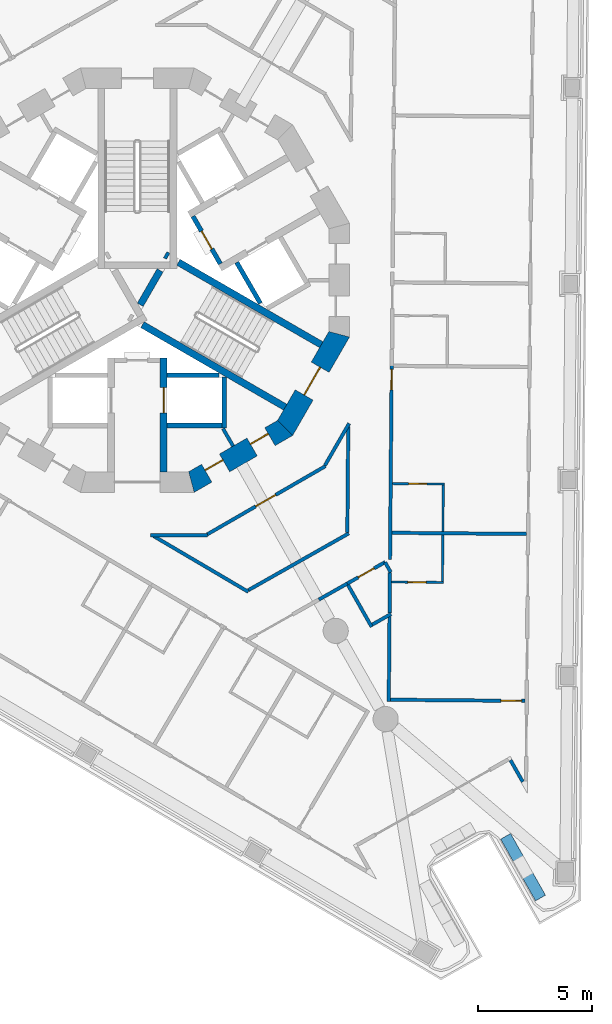
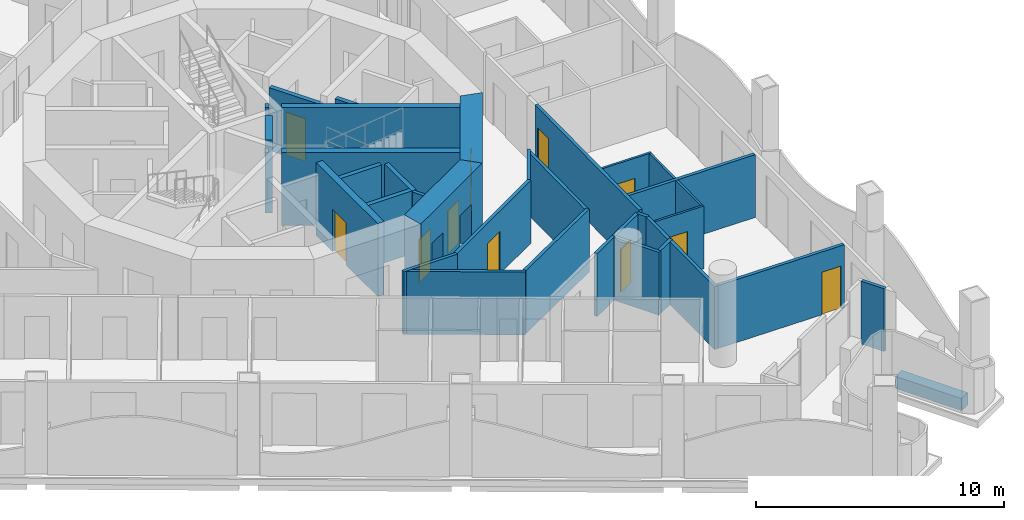
# One storey, part 5 of 17: 35 walls, 11 doors, 11 openings.
"""IFC4 building model written with IfcOpenShell, lengths in metres."""

from ifc_helpers import new_model, si_unit, direction, frame, frame_2d, origin, place, context, subcontext, project, spatial, polyline, rectangle, outline, extrude, material, layer, layer_set, type_object, element, fill, save


model = new_model("IFC4")

# Units and contexts
model_context = context("Model", 3, precision=1e-05, world=origin(), true_north=direction((0.0, 1.0)))
body_context = subcontext(model_context, "Body", "Model", "MODEL_VIEW")
ifc_project = project(units=[si_unit("LENGTHUNIT", "METRE"), si_unit("AREAUNIT", "SQUARE_METRE"), si_unit("VOLUMEUNIT", "CUBIC_METRE"), si_unit("PLANEANGLEUNIT", "RADIAN"), si_unit("MASSUNIT", "GRAM", prefix="KILO")], contexts=[model_context])

# Site, building, storey
site_placement = place(None, origin())
site = spatial("IfcSite", under=ifc_project, at=site_placement, CompositionType="ELEMENT")
building_placement = place(site_placement, origin())
building = spatial("IfcBuilding", under=site, at=building_placement, Name="Trine Commons Tower", CompositionType="ELEMENT")
storey_placement = place(building_placement, frame((0.0, 0.0, 189.89990234375)))
storey = spatial("IfcBuildingStorey", under=building, at=storey_placement, Name="L49", CompositionType="ELEMENT", Elevation=189.89990234375)

# Walls
ifc_material_1 = material(Name="Plasterboard partition on steel studs", Category="steel")
ifc_layer_1 = layer(ifc_material_1, 0.14990234375)
ifc_layer_set_1 = layer_set([ifc_layer_1], Name="Plasterboard partition on steel studs")
wall_type_1 = type_object("IfcWallType", Name="Core room partition 150 mm, EI 60", PredefinedType="PARTITIONING", material=ifc_layer_set_1)
wall_1_placement = place(storey_placement, frame((84.18603515625, 55.2490234375, 0.0), z_axis=(0.0, 0.0, 1.0), x_axis=(-0.499890179513, 0.866088799389, 0.0)))
element("IfcWall", 1, at=wall_1_placement, inside=storey, type_object=wall_type_1, Name="Core room partition L49", PredefinedType="PARTITIONING", context=body_context, shape_type="SweptSolid", body=[
    extrude(rectangle(XDim=0.882080078125, YDim=0.14990234375, at=frame_2d((0.44091796875, 0.0))), origin(), (0.0, 0.0, 1.0), 3.10009765625),
])
ifc_material_2 = material(Name="Aluminium-framed insulated wall panel", Category="aluminium")
ifc_layer_2 = layer(ifc_material_2, 0.14990234375)
ifc_layer_set_2 = layer_set([ifc_layer_2], Name="Aluminium-framed insulated wall panel")
wall_type_2 = type_object("IfcWallType", Name="Glazed frame wall 150, EI 60", PredefinedType="SOLIDWALL", material=ifc_layer_set_2)
wall_2_placement = place(storey_placement, frame((96.91552734375, 40.450927734375, 0.0), z_axis=(0.0, 0.0, 1.0), x_axis=(-0.492439994984, 0.870346397327, 0.0)))
element("IfcWall", 2, at=wall_2_placement, inside=storey, type_object=wall_type_2, Name="Glazed frame wall R9", PredefinedType="SOLIDWALL", context=body_context, shape_type="SweptSolid", body=[
    extrude(outline(polyline([(0.1494140625, 0.074951171875), (0.1494140625, -0.074951171875), (1.235107421875, -0.074951171875), (1.235107421875, 0.074951171875), (0.1494140625, 0.074951171875)])), origin(), (0.0, 0.0, 1.0), 3.10009765625),
])

# Wall, opening, door
ifc_material_3 = material(Name="Fire-rated gypsum shaft wall system")
ifc_layer_3 = layer(ifc_material_3, 0.199951171875)
ifc_layer_set_3 = layer_set([ifc_layer_3], Name="Fire-rated gypsum shaft wall system")
wall_type_3 = type_object("IfcWallType", Name="Lobby end wall 200 mm, EI 120", PredefinedType="PARTITIONING", material=ifc_layer_set_3)
wall_3_placement = place(storey_placement, frame((83.631103515625, 63.2109375, 0.0), z_axis=(0.0, 0.0, 1.0), x_axis=(-0.50012165622, 0.865955154139, 0.0)))
wall_3 = element("IfcWall", 3, at=wall_3_placement, inside=storey, type_object=wall_type_3, Name="Lobby end wall L49", PredefinedType="PARTITIONING", context=body_context, shape_type="SweptSolid", body=[
    extrude(rectangle(XDim=2.39990234375, YDim=0.199951171875, at=frame_2d((1.199951171875, 0.0))), origin(), (0.0, 0.0, 1.0), 3.10009765625),
])
opening_1_placement = place(wall_3_placement, frame((0.749755859375, 0.0, 0.0)))
opening_1 = element("IfcOpeningElement", 4, at=opening_1_placement, cuts=wall_3, Name="Opening K12.05", PredefinedType="OPENING", context=body_context, shape_type="SweptSolid", body=[
    extrude(rectangle(XDim=0.89990234375, YDim=2.10009765625, at=frame_2d((0.449951171875, 1.050048828125))), frame((0.0, 0.10986328125, 0.0), z_axis=(0.0, -1.0, 0.0), x_axis=(1.0, 0.0, 0.0)), (0.0, 0.0, 1.0), 0.219970703125),
])
ifc_material_4 = material(Name="Steel door leaf, fire-rated", Category="steel")
door_type_1 = type_object("IfcDoorType", Name="Riser access door, single leaf 900 x 2100, FD60", OperationType="SINGLE_SWING_LEFT", PredefinedType="DOOR", material=ifc_material_4)
door_1_placement = place(opening_1_placement, frame((0.89990234375, 0.0, 0.0), z_axis=(0.0, 0.0, 1.0), x_axis=(-1.0, 0.0, 0.0)))
door_1 = element("IfcDoor", 5, at=door_1_placement, inside=storey, type_object=door_type_1, Name="Riser door, Electrical riser L49", OperationType="SINGLE_SWING_LEFT", OverallHeight=2.10009765625, OverallWidth=0.89990234375, PredefinedType="DOOR", context=body_context, shape_type="SweptSolid", body=[
    extrude(rectangle(XDim=0.89990234375, YDim=2.10009765625, at=frame_2d((0.449951171875, 1.050048828125))), frame((0.0, 0.02490234375, 0.0), z_axis=(0.0, -1.0, 0.0), x_axis=(1.0, 0.0, 0.0)), (0.0, 0.0, 1.0), 0.050048828125),
])
fill(opening_1, door_1)

# Wall
ifc_material_5 = material(Name="Planter trough, precast concrete C40/50", Category="concrete")
ifc_layer_4 = layer(ifc_material_5, 0.5)
ifc_layer_set_4 = layer_set([ifc_layer_4], Name="Planter trough, precast concrete C40/50")
wall_type_4 = type_object("IfcWallType", Name="Planter trough 500x600", PredefinedType="PARAPET", material=ifc_layer_set_4)
wall_4_placement = place(storey_placement, frame((97.619384765625, 35.500732421875, 0.0), z_axis=(0.0, 0.0, 1.0), x_axis=(-0.492428288095, 0.870353020954, 0.0)))
element("IfcWall", 6, at=wall_4_placement, inside=storey, type_object=wall_type_4, Name="Planter 7", PredefinedType="PARAPET", context=body_context, shape_type="SweptSolid", body=[
    extrude(rectangle(XDim=3.10009765625, YDim=0.5, at=frame_2d((1.550048828125, 0.0))), origin(), (0.0, 0.0, 1.0), 0.60009765625),
])

# Wall, opening, door
ifc_material_6 = material(Name="Concrete C60/75", Category="concrete")
ifc_layer_5 = layer(ifc_material_6, 0.300048828125)
ifc_layer_set_5 = layer_set([ifc_layer_5], Name="Concrete C60/75")
wall_type_5 = type_object("IfcWallType", Name="RC shear wall 300 mm, C60/75", PredefinedType="SHEAR", material=ifc_layer_set_5)
wall_5_placement = place(storey_placement, frame((81.14990234375, 59.10009765625, 0.0), z_axis=(0.0, 0.0, 1.0), x_axis=(0.0, -1.0, 0.0)))
wall_5 = element("IfcWall", 7, at=wall_5_placement, inside=storey, type_object=wall_type_5, Name="Core cross wall SWB-04 L49", PredefinedType="SHEAR", context=body_context, shape_type="SweptSolid", body=[
    extrude(rectangle(XDim=4.97314453125, YDim=0.300048828125, at=frame_2d((2.486572265625, 0.0))), origin(), (0.0, 0.0, 1.0), 3.60009765625),
])
opening_2_placement = place(wall_5_placement, frame((1.300048828125, 0.0, 0.0)))
opening_2 = element("IfcOpeningElement", 8, at=opening_2_placement, cuts=wall_5, Name="Opening LD9", PredefinedType="OPENING", context=body_context, shape_type="SweptSolid", body=[
    extrude(rectangle(XDim=1.10009765625, YDim=2.10009765625, at=frame_2d((0.550048828125, 1.050048828125))), frame((0.0, 0.159912109375, 0.0), z_axis=(0.0, -1.0, 0.0), x_axis=(1.0, 0.0, 0.0)), (0.0, 0.0, 1.0), 0.320068359375),
])
ifc_material_7 = material(Name="Stainless steel sliding door leaves", Category="steel")
door_type_2 = type_object("IfcDoorType", Name="Lift landing door, centre-opening sliding 1100 x 2100, FD90", OperationType="DOUBLE_DOOR_SLIDING", PredefinedType="DOOR", material=ifc_material_7)
door_2_placement = place(opening_2_placement, origin())
door_2 = element("IfcDoor", 9, at=door_2_placement, inside=storey, type_object=door_type_2, Name="Lift landing door FF1 L49", OperationType="DOUBLE_DOOR_SLIDING", OverallHeight=2.10009765625, OverallWidth=1.10009765625, PredefinedType="DOOR", context=body_context, shape_type="SweptSolid", body=[
    extrude(rectangle(XDim=1.10009765625, YDim=2.10009765625, at=frame_2d((0.550048828125, 1.050048828125))), frame((0.0, 0.02490234375, 0.0), z_axis=(0.0, -1.0, 0.0), x_axis=(1.0, 0.0, 0.0)), (0.0, 0.0, 1.0), 0.050048828125),
])
fill(opening_2, door_2)

# Walls
wall_6_placement = place(storey_placement, frame((80.1298828125, 61.424072265625, 0.0), z_axis=(0.0, 0.0, 1.0), x_axis=(0.500014901547, 0.866016800201, 0.0)))
element("IfcWall", 10, at=wall_6_placement, inside=storey, type_object=wall_type_5, Name="Core cross wall SWB-12 L49", PredefinedType="SHEAR", context=body_context, shape_type="SweptSolid", body=[
    extrude(rectangle(XDim=1.734375, YDim=0.300048828125, at=frame_2d((0.8671875, 0.0))), origin(), (0.0, 0.0, 1.0), 3.60009765625),
])
wall_7_placement = place(storey_placement, frame((80.22509765625, 60.552001953125, 0.0), z_axis=(0.0, 0.0, 1.0), x_axis=(0.866028135082, -0.499995269223, 0.0)))
element("IfcWall", 11, at=wall_7_placement, inside=storey, type_object=wall_type_5, Name="Core cross wall SWB-13 L49", PredefinedType="SHEAR", context=body_context, shape_type="SweptSolid", body=[
    extrude(rectangle(XDim=7.2041015625, YDim=0.300048828125, at=frame_2d((3.60205078125, 0.0))), origin(), (0.0, 0.0, 1.0), 3.60009765625),
])
wall_8_placement = place(storey_placement, frame((81.220947265625, 63.614013671875, 0.0), z_axis=(0.0, 0.0, 1.0), x_axis=(0.867737973955, -0.497021939713, 0.0)))
element("IfcWall", 12, at=wall_8_placement, inside=storey, type_object=wall_type_5, Name="Core cross wall SWB-15 L49", PredefinedType="SHEAR", context=body_context, shape_type="SweptSolid", body=[
    extrude(rectangle(XDim=0.14892578125, YDim=0.300048828125, at=frame_2d((0.074462890625, 0.0))), origin(), (0.0, 0.0, 1.0), 3.60009765625),
])
wall_9_placement = place(storey_placement, frame((81.800048828125, 63.280029296875, 0.0), z_axis=(0.0, 0.0, 1.0), x_axis=(0.866028135082, -0.499995269223, 0.0)))
element("IfcWall", 13, at=wall_9_placement, inside=storey, type_object=wall_type_5, Name="Core cross wall SWB-18 L49", PredefinedType="SHEAR", context=body_context, shape_type="SweptSolid", body=[
    extrude(rectangle(XDim=7.2041015625, YDim=0.300048828125, at=frame_2d((3.60205078125, 0.0))), origin(), (0.0, 0.0, 1.0), 3.60009765625),
])

# Wall, openings, doors
ifc_layer_6 = layer(ifc_material_6, 0.89990234375)
ifc_layer_set_6 = layer_set([ifc_layer_6], Name="Concrete C60/75")
wall_type_6 = type_object("IfcWallType", Name="RC shear wall 900 mm, C60/75", PredefinedType="SHEAR", material=ifc_layer_set_6)
wall_10_placement = place(storey_placement, frame((82.259765625, 53.61669921875, 0.0), z_axis=(0.0, 0.0, 1.0), x_axis=(0.866003133579, 0.500038571144, 0.0)))
wall_10 = element("IfcWall", 14, at=wall_10_placement, inside=storey, type_object=wall_type_6, Name="Core wall CWE-11 L49", PredefinedType="SHEAR", context=body_context, shape_type="SweptSolid", body=[
    extrude(outline(polyline([(0.0, -0.449951171875), (4.96923828125, -0.449951171875), (4.72802734375, 0.449951171875), (0.2412109375, 0.449951171875), (0.0, -0.449951171875)])), origin(), (0.0, 0.0, 1.0), 3.60009765625),
])
opening_3_placement = place(wall_10_placement, frame((0.89501953125, 0.0, 0.0)))
opening_3 = element("IfcOpeningElement", 15, at=opening_3_placement, cuts=wall_10, Name="Opening K12.20", PredefinedType="OPENING", context=body_context, shape_type="SweptSolid", body=[
    extrude(rectangle(XDim=0.89990234375, YDim=2.10009765625, at=frame_2d((0.449951171875, 1.050048828125))), frame((0.0, 0.4599609375, 0.0), z_axis=(0.0, -1.0, 0.0), x_axis=(1.0, 0.0, 0.0)), (0.0, 0.0, 1.0), 0.919921875),
])
opening_4_placement = place(wall_10_placement, frame((3.18408203125, 0.0, 0.0)))
opening_4 = element("IfcOpeningElement", 16, at=opening_4_placement, cuts=wall_10, Name="Opening K12.21", PredefinedType="OPENING", context=body_context, shape_type="SweptSolid", body=[
    extrude(rectangle(XDim=0.89990234375, YDim=2.10009765625, at=frame_2d((0.449951171875, 1.050048828125))), frame((0.0, 0.4599609375, 0.0), z_axis=(0.0, -1.0, 0.0), x_axis=(1.0, 0.0, 0.0)), (0.0, 0.0, 1.0), 0.919921875),
])
door_type_3 = type_object("IfcDoorType", Name="Core room door, single leaf 900 x 2100, FD30S", OperationType="SINGLE_SWING_LEFT", PredefinedType="DOOR", material=ifc_material_4)
door_3_placement = place(opening_3_placement, origin())
door_3 = element("IfcDoor", 17, at=door_3_placement, inside=storey, type_object=door_type_3, Name="Door to Accessible WC L49", OperationType="SINGLE_SWING_LEFT", OverallHeight=2.10009765625, OverallWidth=0.89990234375, PredefinedType="DOOR", context=body_context, shape_type="SweptSolid", body=[
    extrude(rectangle(XDim=0.89990234375, YDim=2.10009765625, at=frame_2d((0.449951171875, 1.050048828125))), frame((0.0, 0.1748046875, 0.0), z_axis=(0.0, -1.0, 0.0), x_axis=(1.0, 0.0, 0.0)), (0.0, 0.0, 1.0), 0.050048828125),
])
fill(opening_3, door_3)
door_4_placement = place(opening_4_placement, origin())
door_4 = element("IfcDoor", 18, at=door_4_placement, inside=storey, type_object=door_type_3, Name="Door to Linen store L49", OperationType="SINGLE_SWING_RIGHT", OverallHeight=2.10009765625, OverallWidth=0.89990234375, PredefinedType="DOOR", context=body_context, shape_type="SweptSolid", body=[
    extrude(rectangle(XDim=0.89990234375, YDim=2.10009765625, at=frame_2d((0.449951171875, 1.050048828125))), frame((0.0, 0.1748046875, 0.0), z_axis=(0.0, -1.0, 0.0), x_axis=(1.0, 0.0, 0.0)), (0.0, 0.0, 1.0), 0.050048828125),
])
fill(opening_4, door_4)

# Wall, opening, door
wall_11_placement = place(storey_placement, frame((86.3984375, 55.936767578125, 0.0), z_axis=(0.0, 0.0, 1.0), x_axis=(0.500038571144, 0.866003133579, 0.0)))
wall_11 = element("IfcWall", 19, at=wall_11_placement, inside=storey, type_object=wall_type_6, Name="Core wall CWE-12 L49", PredefinedType="SHEAR", context=body_context, shape_type="SweptSolid", body=[
    extrude(outline(polyline([(0.0, -0.449951171875), (4.96923828125, -0.449951171875), (4.72802734375, 0.449951171875), (0.2412109375, 0.449951171875), (0.0, -0.449951171875)])), origin(), (0.0, 0.0, 1.0), 3.60009765625),
])
opening_5_placement = place(wall_11_placement, frame((1.78466796875, 0.0, 0.0)))
opening_5 = element("IfcOpeningElement", 20, at=opening_5_placement, cuts=wall_11, Name="Opening K12.03", PredefinedType="OPENING", context=body_context, shape_type="SweptSolid", body=[
    extrude(rectangle(XDim=1.39990234375, YDim=2.10009765625, at=frame_2d((0.699951171875, 1.050048828125))), frame((0.0, 0.4599609375, 0.0), z_axis=(0.0, -1.0, 0.0), x_axis=(1.0, 0.0, 0.0)), (0.0, 0.0, 1.0), 0.919921875),
])
ifc_material_8 = material(Name="Steel door leaves, fire-rated", Category="steel")
door_type_4 = type_object("IfcDoorType", Name="Stair door, double leaf 1400 x 2100, FD90", OperationType="DOUBLE_DOOR_SINGLE_SWING", PredefinedType="DOOR", material=ifc_material_8)
door_5_placement = place(opening_5_placement, origin())
door_5 = element("IfcDoor", 21, at=door_5_placement, inside=storey, type_object=door_type_4, Name="Stair door to Exit stair ST3B L49", OperationType="DOUBLE_DOOR_SINGLE_SWING", OverallHeight=2.10009765625, OverallWidth=1.39990234375, PredefinedType="DOOR", context=body_context, shape_type="SweptSolid", body=[
    extrude(rectangle(XDim=1.39990234375, YDim=2.10009765625, at=frame_2d((0.699951171875, 1.050048828125))), frame((0.0, 0.02490234375, 0.0), z_axis=(0.0, -1.0, 0.0), x_axis=(1.0, 0.0, 0.0)), (0.0, 0.0, 1.0), 0.050048828125),
])
fill(opening_5, door_5)

# Walls
ifc_layer_7 = layer(ifc_material_3, 0.199951171875)
ifc_layer_set_7 = layer_set([ifc_layer_7], Name="Fire-rated gypsum shaft wall system")
wall_type_7 = type_object("IfcWallType", Name="Shaft wall 200 mm, EI 120", PredefinedType="PARTITIONING", material=ifc_layer_set_7)
wall_12_placement = place(storey_placement, frame((81.300048828125, 56.14990234375, 0.0), z_axis=(0.0, 0.0, 1.0), x_axis=(1.0, 0.0, 0.0)))
element("IfcWall", 22, at=wall_12_placement, inside=storey, type_object=wall_type_7, Name="Shaft wall L49", PredefinedType="PARTITIONING", context=body_context, shape_type="SweptSolid", body=[
    extrude(rectangle(XDim=2.39990234375, YDim=0.199951171875, at=frame_2d((1.199951171875, 0.0))), origin(), (0.0, 0.0, 1.0), 3.10009765625),
])
wall_13_placement = place(storey_placement, frame((81.300048828125, 58.35009765625, 0.0), z_axis=(0.0, 0.0, 1.0), x_axis=(1.0, 0.0, 0.0)))
element("IfcWall", 23, at=wall_13_placement, inside=storey, type_object=wall_type_7, Name="Shaft wall L49", PredefinedType="PARTITIONING", context=body_context, shape_type="SweptSolid", body=[
    extrude(rectangle(XDim=2.264892578125, YDim=0.199951171875, at=frame_2d((1.13232421875, 0.0))), origin(), (0.0, 0.0, 1.0), 3.10009765625),
])
wall_14_placement = place(storey_placement, frame((83.800048828125, 58.257080078125, 0.0), z_axis=(0.0, 0.0, 1.0), x_axis=(0.0, -1.0, 0.0)))
element("IfcWall", 24, at=wall_14_placement, inside=storey, type_object=wall_type_7, Name="Shaft wall L49", PredefinedType="PARTITIONING", context=body_context, shape_type="SweptSolid", body=[
    extrude(rectangle(XDim=2.20703125, YDim=0.199951171875, at=frame_2d((1.103515625, 0.0))), origin(), (0.0, 0.0, 1.0), 3.10009765625),
])
wall_15_placement = place(storey_placement, frame((84.343994140625, 63.27587890625, 0.0), z_axis=(0.0, 0.0, 1.0), x_axis=(0.500271688072, -0.86586848777, 0.0)))
element("IfcWall", 25, at=wall_15_placement, inside=storey, type_object=wall_type_7, Name="Shaft wall L49", PredefinedType="PARTITIONING", context=body_context, shape_type="SweptSolid", body=[
    extrude(rectangle(XDim=2.064697265625, YDim=0.199951171875, at=frame_2d((1.0322265625, 0.0))), origin(), (0.0, 0.0, 1.0), 3.10009765625),
])
ifc_material_9 = material(Name="Gypsum plasterboard on steel stud", Category="steel")
ifc_layer_8 = layer(ifc_material_9, 0.14990234375)
ifc_layer_set_8 = layer_set([ifc_layer_8], Name="Gypsum plasterboard on steel stud")
wall_type_8 = type_object("IfcWallType", Name="Unit and corridor wall 150 mm, EI 60", PredefinedType="PARTITIONING", material=ifc_layer_set_8)
wall_16_placement = place(storey_placement, frame((80.574951171875, 51.35205078125, 0.0), z_axis=(0.0, 0.0, 1.0), x_axis=(1.0, 0.0, 0.0)))
element("IfcWall", 26, at=wall_16_placement, inside=storey, type_object=wall_type_8, Name="Partition 057", PredefinedType="PARTITIONING", context=body_context, shape_type="SweptSolid", body=[
    extrude(rectangle(XDim=2.487060546875, YDim=0.14990234375, at=frame_2d((1.24365234375, 0.0))), origin(), (0.0, 0.0, 1.0), 3.10009765625),
])
wall_17_placement = place(storey_placement, frame((80.718505859375, 51.31396484375, 0.0), z_axis=(0.0, 0.0, 1.0), x_axis=(0.86168823453, -0.507438061711, 0.0)))
element("IfcWall", 27, at=wall_17_placement, inside=storey, type_object=wall_type_8, Name="Partition 058", PredefinedType="PARTITIONING", context=body_context, shape_type="SweptSolid", body=[
    extrude(rectangle(XDim=4.798828125, YDim=0.14990234375, at=frame_2d((2.3994140625, 0.0))), origin(), (0.0, 0.0, 1.0), 3.10009765625),
])

# Wall, opening, door
wall_18_placement = place(storey_placement, frame((83.052001953125, 51.389404296875, 0.0), z_axis=(0.0, 0.0, 1.0), x_axis=(0.866039280689, 0.499975963725, 0.0)))
wall_18 = element("IfcWall", 28, at=wall_18_placement, inside=storey, type_object=wall_type_8, Name="Partition 068", PredefinedType="PARTITIONING", context=body_context, shape_type="SweptSolid", body=[
    extrude(rectangle(XDim=5.974365234375, YDim=0.14990234375, at=frame_2d((2.9873046875, 0.0))), origin(), (0.0, 0.0, 1.0), 3.10009765625),
])
opening_6_placement = place(wall_18_placement, frame((2.44970703125, 0.0, 0.0)))
opening_6 = element("IfcOpeningElement", 29, at=opening_6_placement, cuts=wall_18, Name="Opening D-5C29", PredefinedType="OPENING", context=body_context, shape_type="SweptSolid", body=[
    extrude(rectangle(XDim=1.0, YDim=2.10009765625, at=frame_2d((0.5, 1.050048828125))), frame((0.0, 0.0849609375, 0.0), z_axis=(0.0, -1.0, 0.0), x_axis=(1.0, 0.0, 0.0)), (0.0, 0.0, 1.0), 0.169921875),
])
ifc_material_10 = material(Name="Painted timber", Category="wood")
door_type_5 = type_object("IfcDoorType", Name="Amenity room door 1000 x 2100, NOT RATED", OperationType="NOTDEFINED", PredefinedType="DOOR", material=ifc_material_10)
door_6_placement = place(opening_6_placement, frame((1.0, 0.0, 0.0), z_axis=(0.0, 0.0, 1.0), x_axis=(-1.0, 0.0, 0.0)))
door_6 = element("IfcDoor", 30, at=door_6_placement, inside=storey, type_object=door_type_5, Name="Door D-5C29", OperationType="SINGLE_SWING_RIGHT", OverallHeight=2.10009765625, OverallWidth=1.0, PredefinedType="DOOR", context=body_context, shape_type="SweptSolid", body=[
    extrude(rectangle(XDim=1.0, YDim=2.10009765625, at=frame_2d((0.5, 1.050048828125))), frame((0.0, 0.02490234375, 0.0), z_axis=(0.0, -1.0, 0.0), x_axis=(1.0, 0.0, 0.0)), (0.0, 0.0, 1.0), 0.050048828125),
])
fill(opening_6, door_6)

# Walls
wall_19_placement = place(storey_placement, frame((84.854248046875, 48.953857421875, 0.0), z_axis=(0.0, 0.0, 1.0), x_axis=(0.870410364257, 0.492326921662, 0.0)))
element("IfcWall", 31, at=wall_19_placement, inside=storey, type_object=wall_type_8, Name="Partition 079", PredefinedType="PARTITIONING", context=body_context, shape_type="SweptSolid", body=[
    extrude(rectangle(XDim=5.041259765625, YDim=0.14990234375, at=frame_2d((2.5205078125, 0.0))), origin(), (0.0, 0.0, 1.0), 3.10009765625),
])
wall_20_placement = place(storey_placement, frame((87.93603515625, 48.54296875, 0.0), z_axis=(0.0, 0.0, 1.0), x_axis=(0.870505283706, 0.492159070871, 0.0)))
element("IfcWall", 32, at=wall_20_placement, inside=storey, type_object=wall_type_8, Name="Partition 093", PredefinedType="PARTITIONING", context=body_context, shape_type="SweptSolid", body=[
    extrude(rectangle(XDim=1.422119140625, YDim=0.14990234375, at=frame_2d((0.7109375, 0.0))), origin(), (0.0, 0.0, 1.0), 3.10009765625),
])
wall_21_placement = place(storey_placement, frame((88.198486328125, 54.404052734375, 0.0), z_axis=(0.0, 0.0, 1.0), x_axis=(0.499882057835, 0.866093487018, 0.0)))
element("IfcWall", 33, at=wall_21_placement, inside=storey, type_object=wall_type_8, Name="Partition 094", PredefinedType="PARTITIONING", context=body_context, shape_type="SweptSolid", body=[
    extrude(rectangle(XDim=2.11865234375, YDim=0.14990234375, at=frame_2d((1.059326171875, 0.0))), origin(), (0.0, 0.0, 1.0), 3.10009765625),
])

# Wall, opening, door
wall_22_placement = place(storey_placement, frame((89.16796875, 49.239013671875, 0.0), z_axis=(0.0, 0.0, 1.0), x_axis=(0.870049645281, 0.492964111013, 0.0)))
wall_22 = element("IfcWall", 34, at=wall_22_placement, inside=storey, type_object=wall_type_8, Name="Partition 099", PredefinedType="PARTITIONING", context=body_context, shape_type="SweptSolid", body=[
    extrude(rectangle(XDim=1.90673828125, YDim=0.14990234375, at=frame_2d((0.953369140625, 0.0))), origin(), (0.0, 0.0, 1.0), 3.10009765625),
])
opening_7_placement = place(wall_22_placement, frame((0.553466796875, 0.0, 0.0)))
opening_7 = element("IfcOpeningElement", 35, at=opening_7_placement, cuts=wall_22, Name="Opening D-5C04", PredefinedType="OPENING", context=body_context, shape_type="SweptSolid", body=[
    extrude(rectangle(XDim=0.800048828125, YDim=2.10009765625, at=frame_2d((0.39990234375, 1.050048828125))), frame((0.0, 0.0849609375, 0.0), z_axis=(0.0, -1.0, 0.0), x_axis=(1.0, 0.0, 0.0)), (0.0, 0.0, 1.0), 0.169921875),
])
door_type_6 = type_object("IfcDoorType", Name="Toilet door 800 x 2100, NOT RATED", OperationType="NOTDEFINED", PredefinedType="DOOR", material=ifc_material_10)
door_7_placement = place(opening_7_placement, frame((0.800048828125, 0.0, 0.0), z_axis=(0.0, 0.0, 1.0), x_axis=(-1.0, 0.0, 0.0)))
door_7 = element("IfcDoor", 36, at=door_7_placement, inside=storey, type_object=door_type_6, Name="Door D-5C04", OperationType="SINGLE_SWING_LEFT", OverallHeight=2.10009765625, OverallWidth=0.800048828125, PredefinedType="DOOR", context=body_context, shape_type="SweptSolid", body=[
    extrude(rectangle(XDim=0.800048828125, YDim=2.10009765625, at=frame_2d((0.39990234375, 1.050048828125))), frame((0.0, 0.02490234375, 0.0), z_axis=(0.0, -1.0, 0.0), x_axis=(1.0, 0.0, 0.0)), (0.0, 0.0, 1.0), 0.050048828125),
])
fill(opening_7, door_7)

# Walls
wall_23_placement = place(storey_placement, frame((89.2080078125, 49.17578125, 0.0), z_axis=(0.0, 0.0, 1.0), x_axis=(0.492490202922, -0.870317987879, 0.0)))
element("IfcWall", 37, at=wall_23_placement, inside=storey, type_object=wall_type_8, Name="Partition 100", PredefinedType="PARTITIONING", context=body_context, shape_type="SweptSolid", body=[
    extrude(rectangle(XDim=2.099365234375, YDim=0.14990234375, at=frame_2d((1.0498046875, 0.0))), origin(), (0.0, 0.0, 1.0), 3.10009765625),
])
wall_24_placement = place(storey_placement, frame((89.177490234375, 51.47412109375, 0.0), z_axis=(0.0, 0.0, 1.0), x_axis=(0.008609896903, 0.999962934151, 0.0)))
element("IfcWall", 38, at=wall_24_placement, inside=storey, type_object=wall_type_8, Name="Partition 101", PredefinedType="PARTITIONING", context=body_context, shape_type="SweptSolid", body=[
    extrude(rectangle(XDim=4.6220703125, YDim=0.14990234375, at=frame_2d((2.31103515625, 0.0))), origin(), (0.0, 0.0, 1.0), 3.10009765625),
])
wall_25_placement = place(storey_placement, frame((90.270263671875, 47.450927734375, 0.0), z_axis=(0.0, 0.0, 1.0), x_axis=(0.870538616766, 0.492100108432, 0.0)))
element("IfcWall", 39, at=wall_25_placement, inside=storey, type_object=wall_type_8, Name="Partition 103", PredefinedType="PARTITIONING", context=body_context, shape_type="SweptSolid", body=[
    extrude(rectangle(XDim=0.938720703125, YDim=0.14990234375, at=frame_2d((0.46923828125, 0.0))), origin(), (0.0, 0.0, 1.0), 3.10009765625),
])
wall_26_placement = place(storey_placement, frame((90.823974609375, 50.177001953125, 0.0), z_axis=(0.0, 0.0, 1.0), x_axis=(0.493654600783, -0.869658056437, 0.0)))
element("IfcWall", 40, at=wall_26_placement, inside=storey, type_object=wall_type_8, Name="Partition 104", PredefinedType="PARTITIONING", context=body_context, shape_type="SweptSolid", body=[
    extrude(rectangle(XDim=0.50830078125, YDim=0.14990234375, at=frame_2d((0.254150390625, 0.0))), origin(), (0.0, 0.0, 1.0), 3.10009765625),
])
wall_27_placement = place(storey_placement, frame((90.98828125, 44.092041015625, 0.0), z_axis=(0.0, 0.0, 1.0), x_axis=(0.008789427608, 0.999961372235, 0.0)))
element("IfcWall", 41, at=wall_27_placement, inside=storey, type_object=wall_type_8, Name="Partition 105", PredefinedType="PARTITIONING", context=body_context, shape_type="SweptSolid", body=[
    extrude(rectangle(XDim=3.72216796875, YDim=0.14990234375, at=frame_2d((1.861083984375, 0.0))), origin(), (0.0, 0.0, 1.0), 3.10009765625),
])

# Wall, opening, door
wall_28_placement = place(storey_placement, frame((91.06396484375, 44.166259765625, 0.0), z_axis=(0.0, 0.0, 1.0), x_axis=(0.999962273479, -0.008686289076, 0.0)))
wall_28 = element("IfcWall", 42, at=wall_28_placement, inside=storey, type_object=wall_type_8, Name="Partition 106", PredefinedType="PARTITIONING", context=body_context, shape_type="SweptSolid", body=[
    extrude(rectangle(XDim=5.874267578125, YDim=0.14990234375, at=frame_2d((2.93701171875, 0.0))), origin(), (0.0, 0.0, 1.0), 3.10009765625),
])
opening_8_placement = place(wall_28_placement, frame((4.82421875, 0.0, 0.0)))
opening_8 = element("IfcOpeningElement", 43, at=opening_8_placement, cuts=wall_28, Name="Opening D-5C19", PredefinedType="OPENING", context=body_context, shape_type="SweptSolid", body=[
    extrude(rectangle(XDim=0.89990234375, YDim=2.10009765625, at=frame_2d((0.449951171875, 1.050048828125))), frame((0.0, 0.0849609375, 0.0), z_axis=(0.0, -1.0, 0.0), x_axis=(1.0, 0.0, 0.0)), (0.0, 0.0, 1.0), 0.169921875),
])
ifc_material_11 = material(Name="Timber fire door set", Category="wood")
door_type_7 = type_object("IfcDoorType", Name="Bedroom door 900 x 2100, FD30S", OperationType="NOTDEFINED", PredefinedType="DOOR", material=ifc_material_11)
door_8_placement = place(opening_8_placement, origin())
door_8 = element("IfcDoor", 44, at=door_8_placement, inside=storey, type_object=door_type_7, Name="Door D-5C19", OperationType="SINGLE_SWING_RIGHT", OverallHeight=2.10009765625, OverallWidth=0.89990234375, PredefinedType="DOOR", context=body_context, shape_type="SweptSolid", body=[
    extrude(rectangle(XDim=0.89990234375, YDim=2.10009765625, at=frame_2d((0.449951171875, 1.050048828125))), frame((0.0, 0.02490234375, 0.0), z_axis=(0.0, -1.0, 0.0), x_axis=(1.0, 0.0, 0.0)), (0.0, 0.0, 1.0), 0.050048828125),
])
fill(opening_8, door_8)

# Wall
wall_29_placement = place(storey_placement, frame((91.022705078125, 47.950927734375, 0.0), z_axis=(0.0, 0.0, 1.0), x_axis=(0.008256220588, 0.99996591683, 0.0)))
element("IfcWall", 45, at=wall_29_placement, inside=storey, type_object=wall_type_8, Name="Partition 107", PredefinedType="PARTITIONING", context=body_context, shape_type="SweptSolid", body=[
    extrude(rectangle(XDim=1.774169921875, YDim=0.14990234375, at=frame_2d((0.88720703125, 0.0))), origin(), (0.0, 0.0, 1.0), 3.10009765625),
])

# Wall, opening, door
wall_30_placement = place(storey_placement, frame((91.0419921875, 50.300048828125, 0.0), z_axis=(0.0, 0.0, 1.0), x_axis=(0.008752775488, 0.999961693727, 0.0)))
wall_30 = element("IfcWall", 46, at=wall_30_placement, inside=storey, type_object=wall_type_8, Name="Partition 109", PredefinedType="PARTITIONING", context=body_context, shape_type="SweptSolid", body=[
    extrude(rectangle(XDim=8.53515625, YDim=0.14990234375, at=frame_2d((4.267578125, 0.0))), origin(), (0.0, 0.0, 1.0), 3.10009765625),
])
opening_9_placement = place(wall_30_placement, frame((7.40625, 0.0, 0.0)))
opening_9 = element("IfcOpeningElement", 47, at=opening_9_placement, cuts=wall_30, Name="Opening D-5C18", PredefinedType="OPENING", context=body_context, shape_type="SweptSolid", body=[
    extrude(rectangle(XDim=0.89990234375, YDim=2.10009765625, at=frame_2d((0.449951171875, 1.050048828125))), frame((0.0, 0.0849609375, 0.0), z_axis=(0.0, -1.0, 0.0), x_axis=(1.0, 0.0, 0.0)), (0.0, 0.0, 1.0), 0.169921875),
])
door_9_placement = place(opening_9_placement, frame((0.89990234375, 0.0, 0.0), z_axis=(0.0, 0.0, 1.0), x_axis=(-1.0, 0.0, 0.0)))
door_9 = element("IfcDoor", 48, at=door_9_placement, inside=storey, type_object=door_type_7, Name="Door D-5C18", OperationType="SINGLE_SWING_LEFT", OverallHeight=2.10009765625, OverallWidth=0.89990234375, PredefinedType="DOOR", context=body_context, shape_type="SweptSolid", body=[
    extrude(rectangle(XDim=0.89990234375, YDim=2.10009765625, at=frame_2d((0.449951171875, 1.050048828125))), frame((0.0, 0.02490234375, 0.0), z_axis=(0.0, -1.0, 0.0), x_axis=(1.0, 0.0, 0.0)), (0.0, 0.0, 1.0), 0.050048828125),
])
fill(opening_9, door_9)

# Wall
wall_31_placement = place(storey_placement, frame((91.126953125, 51.460205078125, 0.0), z_axis=(0.0, 0.0, 1.0), x_axis=(0.999962273479, -0.008686289076, 0.0)))
element("IfcWall", 49, at=wall_31_placement, inside=storey, type_object=wall_type_8, Name="Partition 110", PredefinedType="PARTITIONING", context=body_context, shape_type="SweptSolid", body=[
    extrude(rectangle(XDim=5.874267578125, YDim=0.14990234375, at=frame_2d((2.93701171875, 0.0))), origin(), (0.0, 0.0, 1.0), 3.10009765625),
])

# Wall, opening, door
ifc_layer_9 = layer(ifc_material_9, 0.10009765625)
ifc_layer_set_9 = layer_set([ifc_layer_9], Name="Gypsum plasterboard on steel stud")
wall_type_9 = type_object("IfcWallType", Name="Unit partition 100 mm, no rating", PredefinedType="PARTITIONING", material=ifc_layer_set_9)
wall_32_placement = place(storey_placement, frame((91.10888671875, 49.311279296875, 0.0), z_axis=(0.0, 0.0, 1.0), x_axis=(0.999958404904, -0.009120770943, 0.0)))
wall_32 = element("IfcWall", 50, at=wall_32_placement, inside=storey, type_object=wall_type_9, Name="Partition 108", PredefinedType="PARTITIONING", context=body_context, shape_type="SweptSolid", body=[
    extrude(rectangle(XDim=2.275146484375, YDim=0.10009765625, at=frame_2d((1.1376953125, 0.0))), origin(), (0.0, 0.0, 1.0), 3.10009765625),
])
opening_10_placement = place(wall_32_placement, frame((0.71240234375, 0.0, 0.0)))
opening_10 = element("IfcOpeningElement", 51, at=opening_10_placement, cuts=wall_32, Name="Opening D-5C45", PredefinedType="OPENING", context=body_context, shape_type="SweptSolid", body=[
    extrude(rectangle(XDim=0.800048828125, YDim=2.10009765625, at=frame_2d((0.39990234375, 1.050048828125))), frame((0.0, 0.06005859375, 0.0), z_axis=(0.0, -1.0, 0.0), x_axis=(1.0, 0.0, 0.0)), (0.0, 0.0, 1.0), 0.1201171875),
])
door_type_8 = type_object("IfcDoorType", Name="Internal door 800 x 2100, NOT RATED", OperationType="NOTDEFINED", PredefinedType="DOOR", material=ifc_material_10)
door_10_placement = place(opening_10_placement, frame((0.800048828125, 0.0, 0.0), z_axis=(0.0, 0.0, 1.0), x_axis=(-1.0, 0.0, 0.0)))
door_10 = element("IfcDoor", 52, at=door_10_placement, inside=storey, type_object=door_type_8, Name="Door D-5C45", OperationType="SINGLE_SWING_RIGHT", OverallHeight=2.10009765625, OverallWidth=0.800048828125, PredefinedType="DOOR", context=body_context, shape_type="SweptSolid", body=[
    extrude(rectangle(XDim=0.800048828125, YDim=2.10009765625, at=frame_2d((0.39990234375, 1.050048828125))), frame((0.0, 0.02490234375, 0.0), z_axis=(0.0, -1.0, 0.0), x_axis=(1.0, 0.0, 0.0)), (0.0, 0.0, 1.0), 0.050048828125),
])
fill(opening_10, door_10)

wall_33_placement = place(storey_placement, frame((91.14599609375, 53.6103515625, 0.0), z_axis=(0.0, 0.0, 1.0), x_axis=(0.999962219299, -0.008692524121, 0.0)))
wall_33 = element("IfcWall", 53, at=wall_33_placement, inside=storey, type_object=wall_type_9, Name="Partition 111", PredefinedType="PARTITIONING", context=body_context, shape_type="SweptSolid", body=[
    extrude(rectangle(XDim=2.27490234375, YDim=0.10009765625, at=frame_2d((1.137451171875, 0.0))), origin(), (0.0, 0.0, 1.0), 3.10009765625),
])
opening_11_placement = place(wall_33_placement, frame((0.71240234375, 0.0, 0.0)))
opening_11 = element("IfcOpeningElement", 54, at=opening_11_placement, cuts=wall_33, Name="Opening D-5C44", PredefinedType="OPENING", context=body_context, shape_type="SweptSolid", body=[
    extrude(rectangle(XDim=0.800048828125, YDim=2.10009765625, at=frame_2d((0.39990234375, 1.050048828125))), frame((0.0, 0.06005859375, 0.0), z_axis=(0.0, -1.0, 0.0), x_axis=(1.0, 0.0, 0.0)), (0.0, 0.0, 1.0), 0.1201171875),
])
door_11_placement = place(opening_11_placement, origin())
door_11 = element("IfcDoor", 55, at=door_11_placement, inside=storey, type_object=door_type_8, Name="Door D-5C44", OperationType="SINGLE_SWING_LEFT", OverallHeight=2.10009765625, OverallWidth=0.800048828125, PredefinedType="DOOR", context=body_context, shape_type="SweptSolid", body=[
    extrude(rectangle(XDim=0.800048828125, YDim=2.10009765625, at=frame_2d((0.39990234375, 1.050048828125))), frame((0.0, 0.02490234375, 0.0), z_axis=(0.0, -1.0, 0.0), x_axis=(1.0, 0.0, 0.0)), (0.0, 0.0, 1.0), 0.050048828125),
])
fill(opening_11, door_11)

# Walls
for number, where, z_axis, x_axis, name in (
    (56, (93.33447265625, 49.341064453125, 0.0), (0.0, 0.0, 1.0), (0.008318979066, 0.999965396695, 0.0), "Partition 128"),
    (57, (93.352783203125, 51.51611328125, 0.0), (0.0, 0.0, 1.0), (0.008801202389, 0.999961268668, 0.0), "Partition 129"),
):
    element("IfcWall", number, at=place(storey_placement, frame(where, z_axis=z_axis, x_axis=x_axis)), inside=storey, type_object=wall_type_9, Name=name, PredefinedType="PARTITIONING", context=body_context, shape_type="SweptSolid", body=[
        extrude(rectangle(XDim=2.02490234375, YDim=0.10009765625, at=frame_2d((1.012451171875, 0.0))), origin(), (0.0, 0.0, 1.0), 3.10009765625),
    ])

save(model, "model.ifc")
